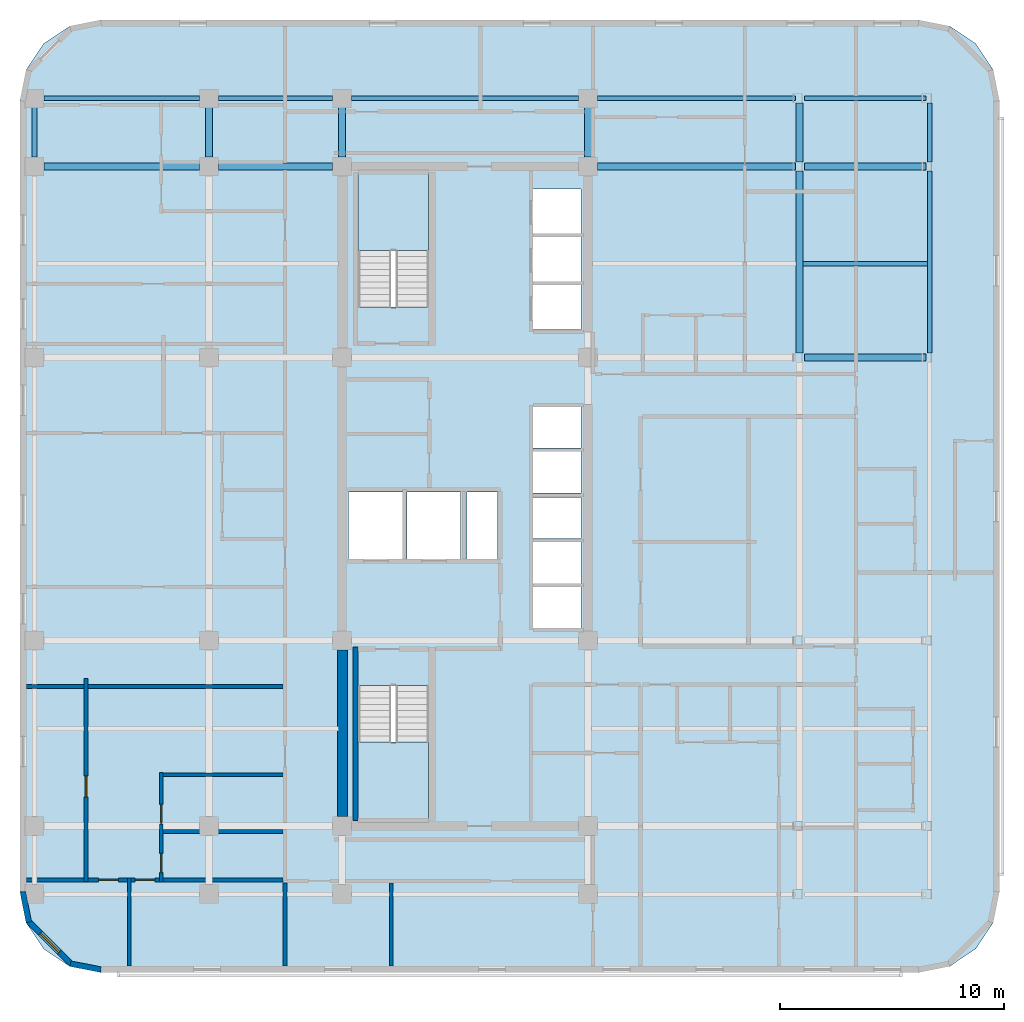
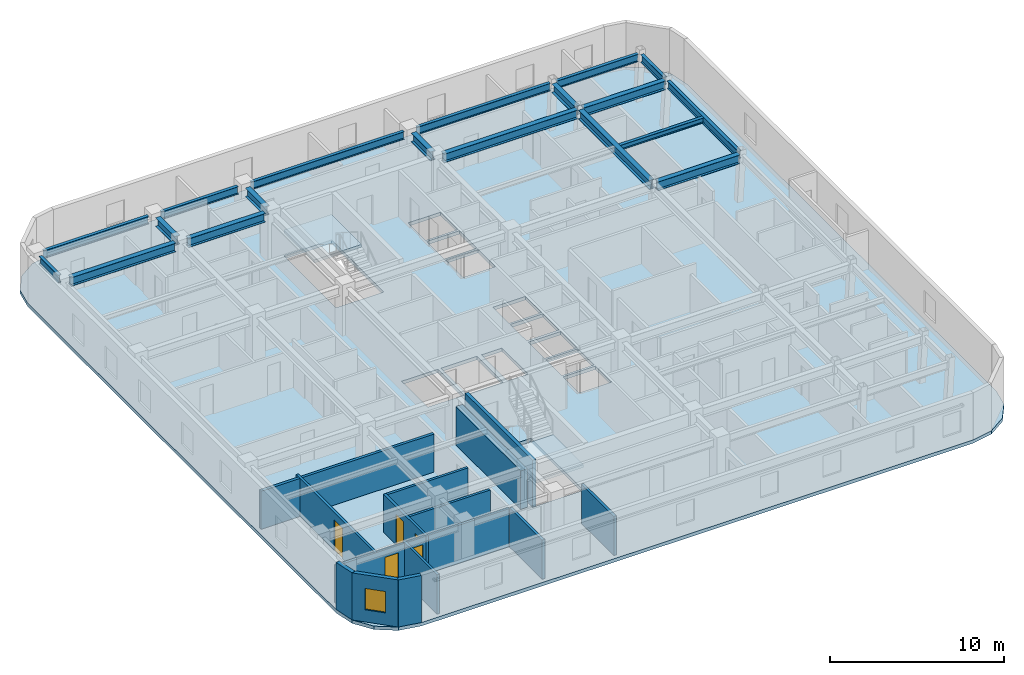
# One storey, part 2 of 11: 19 beams, 14 walls, 5 doors, 3 slabs, 1 window, 6 openings, 2 elements without a shape of their own.
"""IFC4 building model written with IfcOpenShell, lengths in metres."""

from ifc_helpers import new_model, si_unit, direction, frame, frame_2d, origin, origin_2d, place, context, subcontext, project, spatial, polyline, rectangle, i_section, outline, extrude, material, layer, layer_set, material_profile, profile_set, type_object, element, fill, aggregate, save


model = new_model("IFC4")

# Units and contexts
model_context = context("Model", 3, precision=1e-05, world=origin(), true_north=direction((0.0, 1.0)))
body_context = subcontext(model_context, "Body", "Model", "MODEL_VIEW")
ifc_project = project(units=[si_unit("LENGTHUNIT", "METRE"), si_unit("AREAUNIT", "SQUARE_METRE"), si_unit("VOLUMEUNIT", "CUBIC_METRE"), si_unit("PLANEANGLEUNIT", "RADIAN"), si_unit("MASSUNIT", "GRAM", prefix="KILO")], contexts=[model_context])

# Site, building, storey
site_placement = place(None, origin())
site = spatial("IfcSite", under=ifc_project, at=site_placement, CompositionType="ELEMENT")
building_placement = place(site_placement, origin())
building = spatial("IfcBuilding", under=site, at=building_placement, Name="Ochreholt Gables", CompositionType="ELEMENT")
storey_placement = place(building_placement, frame((0.0, 0.0, 132.0)))
storey = spatial("IfcBuildingStorey", under=building, at=storey_placement, Name="L34", CompositionType="ELEMENT", Elevation=132.0)

# Beams
ifc_material_1 = material(Name="Steel CSA G40.21 350W", Category="steel")
ifc_material_profile_1 = material_profile(ifc_material_1, i_section(OverallWidth=0.323974609375, OverallDepth=0.611083984375, WebThickness=0.0126953125, FlangeThickness=0.01904296875, at=origin_2d()), Name="W610X155")
ifc_profile_set_1 = profile_set([ifc_material_profile_1], Name="Steel CSA G40.21 350W")
beam_type_1 = type_object("IfcBeamType", Name="BM-G-W610A", PredefinedType="BEAM", material=ifc_profile_set_1)
beam_1_placement = place(storey_placement, frame((44.884521484375, 30.199951171875, 2.994384765625), z_axis=(1.0, 0.0, 0.0), x_axis=(0.0, 1.0, 0.0)))
element("IfcBeam", 1, at=beam_1_placement, inside=storey, type_object=beam_type_1, Name="L34 Beam TBG-L34-EMEE-Y4", PredefinedType="BEAM", context=body_context, shape_type="SweptSolid", body=[
    extrude(i_section(OverallWidth=0.323974609375, OverallDepth=0.611083984375, WebThickness=0.0126953125, FlangeThickness=0.01904296875, at=origin_2d()), origin(), (0.0, 0.0, 1.0), 5.4345703125),
])
beam_2_placement = place(storey_placement, frame((10.87451171875, 38.75, 2.994384765625), z_axis=(1.0, 0.0, 0.0), x_axis=(0.0, 1.0, 0.0)))
element("IfcBeam", 2, at=beam_2_placement, inside=storey, type_object=beam_type_1, Name="L34 Beam TBG-L34-W2W3-Y5", PredefinedType="BEAM", context=body_context, shape_type="SweptSolid", body=[
    extrude(i_section(OverallWidth=0.323974609375, OverallDepth=0.611083984375, WebThickness=0.0126953125, FlangeThickness=0.01904296875, at=origin_2d()), origin(), (0.0, 0.0, 1.0), 6.950927734375),
])
beam_3_placement = place(storey_placement, frame((18.674560546875, 38.75, 2.994384765625), z_axis=(1.0, 0.0, 0.0), x_axis=(0.0, 1.0, 0.0)))
element("IfcBeam", 3, at=beam_3_placement, inside=storey, type_object=beam_type_1, Name="L34 Beam TBG-L34-W3C1-Y5", PredefinedType="BEAM", context=body_context, shape_type="SweptSolid", body=[
    extrude(i_section(OverallWidth=0.323974609375, OverallDepth=0.611083984375, WebThickness=0.0126953125, FlangeThickness=0.01904296875, at=origin_2d()), origin(), (0.0, 0.0, 1.0), 5.100830078125),
])
beam_4_placement = place(storey_placement, frame((35.62451171875, 38.75, 2.994384765625), z_axis=(1.0, 0.0, 0.0), x_axis=(0.0, 1.0, 0.0)))
element("IfcBeam", 4, at=beam_4_placement, inside=storey, type_object=beam_type_1, Name="L34 Beam TBG-L34-C2EM-Y5", PredefinedType="BEAM", context=body_context, shape_type="SweptSolid", body=[
    extrude(i_section(OverallWidth=0.323974609375, OverallDepth=0.611083984375, WebThickness=0.0126953125, FlangeThickness=0.01904296875, at=origin_2d()), origin(), (0.0, 0.0, 1.0), 8.85498046875),
])
beam_5_placement = place(storey_placement, frame((44.884521484375, 38.75, 2.994384765625), z_axis=(1.0, 0.0, 0.0), x_axis=(0.0, 1.0, 0.0)))
element("IfcBeam", 5, at=beam_5_placement, inside=storey, type_object=beam_type_1, Name="L34 Beam TBG-L34-EMEE-Y5", PredefinedType="BEAM", context=body_context, shape_type="SweptSolid", body=[
    extrude(i_section(OverallWidth=0.323974609375, OverallDepth=0.611083984375, WebThickness=0.0126953125, FlangeThickness=0.01904296875, at=origin_2d()), origin(), (0.0, 0.0, 1.0), 5.4345703125),
])
for number, where, z_axis, x_axis, name in (
    (6, (18.25, 39.174560546875, 2.994384765625), (0.0, 1.0, 0.0), (-1.0, 0.0, 0.0), "L34 Beam TBN-L34-W3-Y5Y6"),
    (7, (24.199951171875, 39.174560546875, 2.994384765625), (0.0, 1.0, 0.0), (-1.0, 0.0, 0.0), "L34 Beam TBN-L34-C1-Y5Y6"),
    (8, (35.199951171875, 39.174560546875, 2.994384765625), (0.0, 1.0, 0.0), (-1.0, 0.0, 0.0), "L34 Beam TBN-L34-C2-Y5Y6"),
):
    element("IfcBeam", number, at=place(storey_placement, frame(where, z_axis=z_axis, x_axis=x_axis)), inside=storey, type_object=beam_type_1, Name=name, PredefinedType="BEAM", context=body_context, shape_type="SweptSolid", body=[
        extrude(i_section(OverallWidth=0.323974609375, OverallDepth=0.611083984375, WebThickness=0.0126953125, FlangeThickness=0.01904296875, at=origin_2d()), origin(), (0.0, 0.0, 1.0), 2.200927734375),
    ])
beam_6_placement = place(storey_placement, frame((44.662841796875, 30.402587890625, 2.994384765625), z_axis=(0.0, 1.0, 0.0), x_axis=(-1.0, 0.0, 0.0)))
element("IfcBeam", 9, at=beam_6_placement, inside=storey, type_object=beam_type_1, Name="L34 Beam TBN-L34-EM-Y4Y5", PredefinedType="BEAM", context=body_context, shape_type="SweptSolid", body=[
    extrude(i_section(OverallWidth=0.323974609375, OverallDepth=0.611083984375, WebThickness=0.0126953125, FlangeThickness=0.01904296875, at=origin_2d()), origin(), (0.0, 0.0, 1.0), 8.144775390625),
])
beam_7_placement = place(storey_placement, frame((44.662841796875, 38.95263671875, 2.994384765625), z_axis=(0.0, 1.0, 0.0), x_axis=(-1.0, 0.0, 0.0)))
element("IfcBeam", 10, at=beam_7_placement, inside=storey, type_object=beam_type_1, Name="L34 Beam TBN-L34-EM-Y5Y6", PredefinedType="BEAM", context=body_context, shape_type="SweptSolid", body=[
    extrude(i_section(OverallWidth=0.323974609375, OverallDepth=0.611083984375, WebThickness=0.0126953125, FlangeThickness=0.01904296875, at=origin_2d()), origin(), (0.0, 0.0, 1.0), 2.644775390625),
])
ifc_material_profile_2 = material_profile(ifc_material_1, i_section(OverallWidth=0.205078125, OverallDepth=0.35400390625, WebThickness=0.009521484375, FlangeThickness=0.016845703125, at=origin_2d()), Name="W360X79")
ifc_profile_set_2 = profile_set([ifc_material_profile_2], Name="Steel CSA G40.21 350W")
beam_type_2 = type_object("IfcBeamType", Name="BM-J-W360A", PredefinedType="JOIST", material=ifc_profile_set_2)
beam_8_placement = place(storey_placement, frame((44.824462890625, 34.39990234375, 3.123046875), z_axis=(1.0, 0.0, 0.0), x_axis=(0.0, 1.0, 0.0)))
element("IfcBeam", 11, at=beam_8_placement, inside=storey, type_object=beam_type_2, Name="L34 Beam TBJ-L34-J2-EMEE", PredefinedType="JOIST", context=body_context, shape_type="SweptSolid", body=[
    extrude(i_section(OverallWidth=0.205078125, OverallDepth=0.35400390625, WebThickness=0.009521484375, FlangeThickness=0.016845703125, at=origin_2d()), origin(), (0.0, 0.0, 1.0), 5.56103515625),
])
ifc_material_profile_3 = material_profile(ifc_material_1, i_section(OverallWidth=0.208984375, OverallDepth=0.532958984375, WebThickness=0.01025390625, FlangeThickness=0.015625, at=origin_2d()), Name="W530X92")
ifc_profile_set_3 = profile_set([ifc_material_profile_3], Name="Steel CSA G40.21 350W")
beam_type_3 = type_object("IfcBeamType", Name="BM-SP-W530B", PredefinedType="SPANDREL", material=ifc_profile_set_3)
beam_9_placement = place(storey_placement, frame((10.87451171875, 41.800048828125, 3.033447265625), z_axis=(1.0, 0.0, 0.0), x_axis=(0.0, 1.0, 0.0)))
element("IfcBeam", 12, at=beam_9_placement, inside=storey, type_object=beam_type_3, Name="L34 Beam TBG-L34-W2W3-Y6", PredefinedType="SPANDREL", context=body_context, shape_type="SweptSolid", body=[
    extrude(i_section(OverallWidth=0.208984375, OverallDepth=0.532958984375, WebThickness=0.01025390625, FlangeThickness=0.015625, at=origin_2d()), origin(), (0.0, 0.0, 1.0), 6.950927734375),
])
beam_10_placement = place(storey_placement, frame((18.674560546875, 41.800048828125, 3.033447265625), z_axis=(1.0, 0.0, 0.0), x_axis=(0.0, 1.0, 0.0)))
element("IfcBeam", 13, at=beam_10_placement, inside=storey, type_object=beam_type_3, Name="L34 Beam TBG-L34-W3C1-Y6", PredefinedType="SPANDREL", context=body_context, shape_type="SweptSolid", body=[
    extrude(i_section(OverallWidth=0.208984375, OverallDepth=0.532958984375, WebThickness=0.01025390625, FlangeThickness=0.015625, at=origin_2d()), origin(), (0.0, 0.0, 1.0), 5.100830078125),
])
beam_11_placement = place(storey_placement, frame((24.62451171875, 41.800048828125, 3.033447265625), z_axis=(1.0, 0.0, 0.0), x_axis=(0.0, 1.0, 0.0)))
element("IfcBeam", 14, at=beam_11_placement, inside=storey, type_object=beam_type_3, Name="L34 Beam TBG-L34-C1C2-Y6", PredefinedType="SPANDREL", context=body_context, shape_type="SweptSolid", body=[
    extrude(i_section(OverallWidth=0.208984375, OverallDepth=0.532958984375, WebThickness=0.01025390625, FlangeThickness=0.015625, at=origin_2d()), origin(), (0.0, 0.0, 1.0), 10.15087890625),
])
beam_12_placement = place(storey_placement, frame((35.62451171875, 41.800048828125, 3.033447265625), z_axis=(1.0, 0.0, 0.0), x_axis=(0.0, 1.0, 0.0)))
element("IfcBeam", 15, at=beam_12_placement, inside=storey, type_object=beam_type_3, Name="L34 Beam TBG-L34-C2EM-Y6", PredefinedType="SPANDREL", context=body_context, shape_type="SweptSolid", body=[
    extrude(i_section(OverallWidth=0.208984375, OverallDepth=0.532958984375, WebThickness=0.01025390625, FlangeThickness=0.015625, at=origin_2d()), origin(), (0.0, 0.0, 1.0), 8.85498046875),
])
beam_13_placement = place(storey_placement, frame((44.884521484375, 41.800048828125, 3.033447265625), z_axis=(1.0, 0.0, 0.0), x_axis=(0.0, 1.0, 0.0)))
element("IfcBeam", 16, at=beam_13_placement, inside=storey, type_object=beam_type_3, Name="L34 Beam TBG-L34-EMEE-Y6", PredefinedType="SPANDREL", context=body_context, shape_type="SweptSolid", body=[
    extrude(i_section(OverallWidth=0.208984375, OverallDepth=0.532958984375, WebThickness=0.01025390625, FlangeThickness=0.015625, at=origin_2d()), origin(), (0.0, 0.0, 1.0), 5.4345703125),
])
beam_14_placement = place(storey_placement, frame((10.449951171875, 39.174560546875, 3.033447265625), z_axis=(0.0, 1.0, 0.0), x_axis=(-1.0, 0.0, 0.0)))
element("IfcBeam", 17, at=beam_14_placement, inside=storey, type_object=beam_type_3, Name="L34 Beam TBN-L34-W2-Y5Y6", PredefinedType="SPANDREL", context=body_context, shape_type="SweptSolid", body=[
    extrude(i_section(OverallWidth=0.208984375, OverallDepth=0.532958984375, WebThickness=0.01025390625, FlangeThickness=0.015625, at=origin_2d()), origin(), (0.0, 0.0, 1.0), 2.200927734375),
])
beam_15_placement = place(storey_placement, frame((50.48974609375, 30.402587890625, 3.033447265625), z_axis=(0.0, 1.0, 0.0), x_axis=(-1.0, 0.0, 0.0)))
element("IfcBeam", 18, at=beam_15_placement, inside=storey, type_object=beam_type_3, Name="L34 Beam TBN-L34-EE-Y4Y5", PredefinedType="SPANDREL", context=body_context, shape_type="SweptSolid", body=[
    extrude(i_section(OverallWidth=0.208984375, OverallDepth=0.532958984375, WebThickness=0.01025390625, FlangeThickness=0.015625, at=origin_2d()), origin(), (0.0, 0.0, 1.0), 8.144775390625),
])
beam_16_placement = place(storey_placement, frame((50.48974609375, 38.95263671875, 3.033447265625), z_axis=(0.0, 1.0, 0.0), x_axis=(-1.0, 0.0, 0.0)))
element("IfcBeam", 19, at=beam_16_placement, inside=storey, type_object=beam_type_3, Name="L34 Beam TBN-L34-EE-Y5Y6", PredefinedType="SPANDREL", context=body_context, shape_type="SweptSolid", body=[
    extrude(i_section(OverallWidth=0.208984375, OverallDepth=0.532958984375, WebThickness=0.01025390625, FlangeThickness=0.015625, at=origin_2d()), origin(), (0.0, 0.0, 1.0), 2.644775390625),
])

# Stair, slab
ifc_material_2 = material(Name="Concrete 40 MPa", Category="concrete")
stair_type_1 = type_object("IfcStairType", Name="STAIR-CORE-ST-1", PredefinedType="HALF_TURN_STAIR", material=ifc_material_2)
stair_1_placement = place(storey_placement, origin())
stair_1 = element("IfcStair", 20, at=stair_1_placement, inside=storey, type_object=stair_type_1, Name="L34 Core Exit Stair 1", PredefinedType="HALF_TURN_STAIR")
ifc_layer_1 = layer(ifc_material_2, 0.199951171875, Name="Concrete 40 MPa")
ifc_layer_set_1 = layer_set([ifc_layer_1], Name="Concrete 40 MPa")
slab_type_1 = type_object("IfcSlabType", Name="LANDING-RC200", PredefinedType="LANDING", material=ifc_layer_set_1)
slab_1_placement = place(storey_placement, frame((0.0, 0.0, 1.60009765625)))
slab_1 = element("IfcSlab", 21, at=slab_1_placement, type_object=slab_type_1, Name="ST-1 landing 1", PredefinedType="LANDING", context=body_context, shape_type="SweptSolid", body=[
    extrude(outline(polyline([(24.919921875, 13.001953125), (24.919921875, 9.52001953125), (28.080078125, 9.52001953125), (28.080078125, 13.001953125), (24.919921875, 13.001953125)])), origin(), (0.0, 0.0, 1.0), 0.199951171875),
])
aggregate(stair_1, [slab_1])

stair_type_2 = type_object("IfcStairType", Name="STAIR-CORE-ST-2", PredefinedType="HALF_TURN_STAIR", material=ifc_material_2)
stair_2_placement = place(storey_placement, origin())
stair_2 = element("IfcStair", 22, at=stair_2_placement, inside=storey, type_object=stair_type_2, Name="L34 Core Exit Stair 2", PredefinedType="HALF_TURN_STAIR")
slab_2_placement = place(storey_placement, frame((0.0, 0.0, 1.60009765625)))
slab_2 = element("IfcSlab", 23, at=slab_2_placement, type_object=slab_type_1, Name="ST-2 landing 1", PredefinedType="LANDING", context=body_context, shape_type="SweptSolid", body=[
    extrude(outline(polyline([(28.080078125, 34.998046875), (28.080078125, 38.47998046875), (24.919921875, 38.47998046875), (24.919921875, 34.998046875), (28.080078125, 34.998046875)])), origin(), (0.0, 0.0, 1.0), 0.199951171875),
])
aggregate(stair_2, [slab_2])

# Slab
ifc_layer_2 = layer(ifc_material_2, 0.239990234375, Name="Concrete 40 MPa")
ifc_layer_set_2 = layer_set([ifc_layer_2], Name="Concrete 40 MPa")
slab_type_2 = type_object("IfcSlabType", Name="SLAB-TWR-240", PredefinedType="FLOOR", material=ifc_layer_set_2)
slab_3_placement = place(storey_placement, frame((0.0, 0.0, -0.239990234375)))
element("IfcSlab", 24, at=slab_3_placement, inside=storey, type_object=slab_type_2, Name="L34 Structural Floor Slab", PredefinedType="FLOOR", context=body_context, shape_type="SweptSolid", body=[
    extrude(outline(polyline([(9.800048828125, 6.300048828125), (10.073974609375, 4.92236328125), (10.8544921875, 3.75439453125), (12.022216796875, 2.97412109375), (13.39990234375, 2.699951171875), (50.0, 2.699951171875), (51.377685546875, 2.97412109375), (52.545654296875, 3.75439453125), (53.325927734375, 4.92236328125), (53.60009765625, 6.300048828125), (53.60009765625, 41.699951171875), (53.325927734375, 43.07763671875), (52.545654296875, 44.24560546875), (51.377685546875, 45.02587890625), (50.0, 45.300048828125), (13.39990234375, 45.300048828125), (12.022216796875, 45.02587890625), (10.8544921875, 44.24560546875), (10.073974609375, 43.07763671875), (9.800048828125, 41.699951171875), (9.800048828125, 6.300048828125)]), holes=[polyline([(24.919921875, 15.539306640625), (24.919921875, 9.52001953125), (28.080078125, 9.52001953125), (28.080078125, 15.539306640625), (24.919921875, 15.539306640625)]), polyline([(28.080078125, 32.460693359375), (28.080078125, 38.47998046875), (24.919921875, 38.47998046875), (24.919921875, 32.460693359375), (28.080078125, 32.460693359375)]), polyline([(24.5, 21.199951171875), (26.89990234375, 21.199951171875), (26.89990234375, 24.199951171875), (24.5, 24.199951171875), (24.5, 21.199951171875)]), polyline([(27.10009765625, 21.199951171875), (29.5, 21.199951171875), (29.5, 24.199951171875), (27.10009765625, 24.199951171875), (27.10009765625, 21.199951171875)]), polyline([(32.75, 18.10009765625), (34.89990234375, 18.10009765625), (34.89990234375, 19.949951171875), (32.75, 19.949951171875), (32.75, 18.10009765625)]), polyline([(32.75, 20.10009765625), (34.89990234375, 20.10009765625), (34.89990234375, 21.949951171875), (32.75, 21.949951171875), (32.75, 20.10009765625)]), polyline([(32.75, 22.10009765625), (34.89990234375, 22.10009765625), (34.89990234375, 23.949951171875), (32.75, 23.949951171875), (32.75, 22.10009765625)]), polyline([(32.75, 24.14990234375), (34.89990234375, 24.14990234375), (34.89990234375, 26.0), (32.75, 26.0), (32.75, 24.14990234375)]), polyline([(32.75, 26.14990234375), (34.89990234375, 26.14990234375), (34.89990234375, 28.0), (32.75, 28.0), (32.75, 26.14990234375)]), polyline([(32.75, 31.449951171875), (34.89990234375, 31.449951171875), (34.89990234375, 33.449951171875), (32.75, 33.449951171875), (32.75, 31.449951171875)]), polyline([(32.75, 33.60009765625), (34.89990234375, 33.60009765625), (34.89990234375, 35.60009765625), (32.75, 35.60009765625), (32.75, 33.60009765625)]), polyline([(32.75, 35.75), (34.89990234375, 35.75), (34.89990234375, 37.75), (32.75, 37.75), (32.75, 35.75)]), polyline([(29.800048828125, 21.199951171875), (31.14990234375, 21.199951171875), (31.14990234375, 24.199951171875), (29.800048828125, 24.199951171875), (29.800048828125, 21.199951171875)])]), origin(), (0.0, 0.0, 1.0), 0.239990234375),
])

# Walls
ifc_material_3 = material(Name="Concrete 60 MPa", Category="concrete")
ifc_layer_3 = layer(ifc_material_3, 0.449951171875, Name="Concrete 60 MPa")
ifc_layer_set_3 = layer_set([ifc_layer_3], Name="Concrete 60 MPa")
wall_type_1 = type_object("IfcWallType", Name="WALL-CSW-450", PredefinedType="SHEAR", material=ifc_layer_set_3)
wall_1_placement = place(storey_placement, frame((24.22509765625, 9.675048828125, 0.0), z_axis=(0.0, 0.0, 1.0), x_axis=(0.0, 1.0, 0.0)))
element("IfcWall", 25, at=wall_1_placement, inside=storey, type_object=wall_type_1, Name="L34 Core West Shear Wall WS", PredefinedType="SHEAR", context=body_context, shape_type="SweptSolid", body=[
    extrude(rectangle(XDim=7.449951171875, YDim=0.449951171875, at=frame_2d((3.72509765625, 0.0))), origin(), (0.0, 0.0, 1.0), 2.68896484375),
])
ifc_material_4 = material(Name="Precast concrete 40 MPa", Category="concrete")
ifc_layer_4 = layer(ifc_material_4, 0.25, Name="Precast concrete 40 MPa")
ifc_layer_set_4 = layer_set([ifc_layer_4], Name="Precast concrete 40 MPa")
wall_type_2 = type_object("IfcWallType", Name="WALL-EXT-CNR", PredefinedType="SOLIDWALL", material=ifc_layer_set_4)
wall_2_placement = place(storey_placement, frame((9.92431640625, 6.31640625, 0.0), z_axis=(0.0, 0.0, 1.0), x_axis=(0.195000137217, -0.980803214965, 0.0)))
element("IfcWall", 26, at=wall_2_placement, inside=storey, type_object=wall_type_2, Name="L34 Rounded Corner Wall SW-1", PredefinedType="SOLIDWALL", context=body_context, shape_type="SweptSolid", body=[
    extrude(rectangle(XDim=1.388427734375, YDim=0.25, at=frame_2d((0.6943359375, 0.0))), origin(), (0.0, 0.0, 1.0), 3.300048828125),
])

# Wall, opening, window
wall_3_placement = place(storey_placement, frame((10.16796875, 5.0048828125, 0.0), z_axis=(0.0, 0.0, 1.0), x_axis=(0.707151344399, -0.707062215165, 0.0)))
wall_3 = element("IfcWall", 27, at=wall_3_placement, inside=storey, type_object=wall_type_2, Name="L34 Rounded Corner Wall SW-2", PredefinedType="SOLIDWALL", context=body_context, shape_type="SweptSolid", body=[
    extrude(rectangle(XDim=2.7392578125, YDim=0.25, at=frame_2d((1.36962890625, 0.0))), origin(), (0.0, 0.0, 1.0), 3.300048828125),
])
opening_1_placement = place(wall_3_placement, frame((0.769775390625, 0.0, 0.85009765625)))
opening_1 = element("IfcOpeningElement", 28, at=opening_1_placement, cuts=wall_3, Name="Opening WN-3", PredefinedType="OPENING", context=body_context, shape_type="SweptSolid", body=[
    extrude(rectangle(XDim=1.199951171875, YDim=1.5, at=frame_2d((0.60009765625, 0.75))), frame((0.0, 0.135009765625, 0.0), z_axis=(0.0, -1.0, 0.0), x_axis=(1.0, 0.0, 0.0)), (0.0, 0.0, 1.0), 0.27001953125),
])
ifc_material_5 = material(Name="Triple-Glazed Thermally Broken Aluminium Window", Category="aluminium")
window_type = type_object("IfcWindowType", Name="WIN-RES-1200", PartitioningType="SINGLE_PANEL", PredefinedType="WINDOW", material=ifc_material_5)
window_placement = place(opening_1_placement, origin())
window = element("IfcWindow", 29, at=window_placement, inside=storey, type_object=window_type, Name="L34 Corner Bedroom Window SW", OverallHeight=1.5, OverallWidth=1.199951171875, PartitioningType="SINGLE_PANEL", PredefinedType="WINDOW", context=body_context, shape_type="SweptSolid", body=[
    extrude(rectangle(XDim=1.199951171875, YDim=1.5, at=frame_2d((0.60009765625, 0.75))), frame((0.0, 0.030029296875, 0.0), z_axis=(0.0, -1.0, 0.0), x_axis=(1.0, 0.0, 0.0)), (0.0, 0.0, 1.0), 0.06005859375),
])
fill(opening_1, window)

# Walls
wall_4_placement = place(storey_placement, frame((12.054443359375, 3.094970703125, 0.0), z_axis=(0.0, 0.0, 1.0), x_axis=(0.980809899341, -0.19496651342, 0.0)))
element("IfcWall", 30, at=wall_4_placement, inside=storey, type_object=wall_type_2, Name="L34 Rounded Corner Wall SW-3", PredefinedType="SOLIDWALL", context=body_context, shape_type="SweptSolid", body=[
    extrude(rectangle(XDim=1.388671875, YDim=0.25, at=frame_2d((0.6943359375, 0.0))), origin(), (0.0, 0.0, 1.0), 3.300048828125),
])
ifc_material_6 = material(Name="Double-Stud Acoustic Demising Wall", Category="gypsum")
ifc_layer_5 = layer(ifc_material_6, 0.179931640625, Name="Double-Stud Acoustic Demising Wall")
ifc_layer_set_5 = layer_set([ifc_layer_5], Name="Double-Stud Acoustic Demising Wall")
wall_type_3 = type_object("IfcWallType", Name="WALL-INT-DM180", PredefinedType="PARTITIONING", material=ifc_layer_set_5)
wall_5_placement = place(storey_placement, frame((21.64990234375, 2.97998046875, 0.0), z_axis=(0.0, 0.0, 1.0), x_axis=(0.0, 1.0, 0.0)))
element("IfcWall", 31, at=wall_5_placement, inside=storey, type_object=wall_type_3, Name="L34 Interior Wall WI-C2WWS-L34", PredefinedType="PARTITIONING", context=body_context, shape_type="SweptSolid", body=[
    extrude(rectangle(XDim=3.72998046875, YDim=0.179931640625, at=frame_2d((1.864990234375, 0.0))), origin(), (0.0, 0.0, 1.0), 2.7490234375),
])
wall_6_placement = place(storey_placement, frame((10.080078125, 15.47998046875, 0.0), z_axis=(0.0, 0.0, 1.0), x_axis=(1.0, 0.0, 0.0)))
element("IfcWall", 32, at=wall_6_placement, inside=storey, type_object=wall_type_3, Name="L34 Interior Wall WI-C2UDW2-L34", PredefinedType="PARTITIONING", context=body_context, shape_type="SweptSolid", body=[
    extrude(rectangle(XDim=11.47998046875, YDim=0.179931640625, at=frame_2d((5.739990234375, 0.0))), origin(), (0.0, 0.0, 1.0), 2.6708984375),
])
ifc_material_7 = material(Name="Moisture-Resistant Plumbing Chase Wall", Category="gypsum")
ifc_layer_6 = layer(ifc_material_7, 0.159912109375, Name="Moisture-Resistant Plumbing Chase Wall")
ifc_layer_set_6 = layer_set([ifc_layer_6], Name="Moisture-Resistant Plumbing Chase Wall")
wall_type_4 = type_object("IfcWallType", Name="WALL-INT-PL160", PredefinedType="PLUMBINGWALL", material=ifc_layer_set_6)
wall_7_placement = place(storey_placement, frame((16.030029296875, 11.547119140625, 0.0), z_axis=(0.0, 0.0, 1.0), x_axis=(1.0, 0.0, 0.0)))
element("IfcWall", 33, at=wall_7_placement, inside=storey, type_object=wall_type_4, Name="L34 Interior Wall WU-L34W1-FYN", PredefinedType="PLUMBINGWALL", context=body_context, shape_type="SweptSolid", body=[
    extrude(rectangle(XDim=5.530029296875, YDim=0.159912109375, at=frame_2d((2.76513671875, 0.0))), origin(), (0.0, 0.0, 1.0), 2.6708984375),
])

# Wall, openings, doors
wall_8_placement = place(storey_placement, frame((16.110107421875, 6.75, 0.0), z_axis=(0.0, 0.0, 1.0), x_axis=(0.0, 1.0, 0.0)))
wall_8 = element("IfcWall", 34, at=wall_8_placement, inside=storey, type_object=wall_type_4, Name="L34 Interior Wall WU-L34W1-WX", PredefinedType="PLUMBINGWALL", context=body_context, shape_type="SweptSolid", body=[
    extrude(rectangle(XDim=4.886962890625, YDim=0.159912109375, at=frame_2d((2.443359375, 0.0))), origin(), (0.0, 0.0, 1.0), 2.6708984375),
])
opening_2_placement = place(wall_8_placement, frame((0.419921875, 0.0, 0.0)))
opening_2 = element("IfcOpeningElement", 35, at=opening_2_placement, cuts=wall_8, Name="Opening D-BT1", PredefinedType="OPENING", context=body_context, shape_type="SweptSolid", body=[
    extrude(rectangle(XDim=0.860107421875, YDim=2.1201171875, at=frame_2d((0.43017578125, 1.06005859375))), frame((0.0, 0.08984375, 0.0), z_axis=(0.0, -1.0, 0.0), x_axis=(1.0, 0.0, 0.0)), (0.0, 0.0, 1.0), 0.179931640625),
])
opening_3_placement = place(wall_8_placement, frame((2.585205078125, 0.0, 0.0)))
opening_3 = element("IfcOpeningElement", 36, at=opening_3_placement, cuts=wall_8, Name="Opening D-GN2", PredefinedType="OPENING", context=body_context, shape_type="SweptSolid", body=[
    extrude(rectangle(XDim=0.8798828125, YDim=2.1201171875, at=frame_2d((0.43994140625, 1.06005859375))), frame((0.0, 0.08984375, 0.0), z_axis=(0.0, -1.0, 0.0), x_axis=(1.0, 0.0, 0.0)), (0.0, 0.0, 1.0), 0.179931640625),
])
ifc_material_8 = material(Name="Engineered Oak Timber", Category="wood")
door_type_1 = type_object("IfcDoorType", Name="DR-INT-BTH860", OperationType="NOTDEFINED", PredefinedType="DOOR", material=ifc_material_8)
door_1_placement = place(opening_2_placement, origin())
door_1 = element("IfcDoor", 37, at=door_1_placement, inside=storey, type_object=door_type_1, Name="L34 Door D-U-L34W1-BTH", OperationType="SINGLE_SWING_LEFT", OverallHeight=2.1201171875, OverallWidth=0.860107421875, PredefinedType="DOOR", context=body_context, shape_type="SweptSolid", body=[
    extrude(rectangle(XDim=0.860107421875, YDim=2.1201171875, at=frame_2d((0.43017578125, 1.06005859375))), frame((0.0, 0.02490234375, 0.0), z_axis=(0.0, -1.0, 0.0), x_axis=(1.0, 0.0, 0.0)), (0.0, 0.0, 1.0), 0.050048828125),
])
fill(opening_2, door_1)
door_type_2 = type_object("IfcDoorType", Name="DR-INT-GEN880", OperationType="NOTDEFINED", PredefinedType="DOOR", material=ifc_material_8)
door_2_placement = place(opening_3_placement, origin())
door_2 = element("IfcDoor", 38, at=door_2_placement, inside=storey, type_object=door_type_2, Name="L34 Door D-U-L34W1-KIT", OperationType="SINGLE_SWING_RIGHT", OverallHeight=2.1201171875, OverallWidth=0.8798828125, PredefinedType="DOOR", context=body_context, shape_type="SweptSolid", body=[
    extrude(rectangle(XDim=0.8798828125, YDim=2.1201171875, at=frame_2d((0.43994140625, 1.06005859375))), frame((0.0, 0.02490234375, 0.0), z_axis=(0.0, -1.0, 0.0), x_axis=(1.0, 0.0, 0.0)), (0.0, 0.0, 1.0), 0.050048828125),
])
fill(opening_3, door_2)

# Wall
wall_9_placement = place(storey_placement, frame((16.18994140625, 9.005126953125, 0.0), z_axis=(0.0, 0.0, 1.0), x_axis=(1.0, 0.0, 0.0)))
element("IfcWall", 39, at=wall_9_placement, inside=storey, type_object=wall_type_4, Name="L34 Interior Wall WU-L34W1-WK", PredefinedType="PLUMBINGWALL", context=body_context, shape_type="SweptSolid", body=[
    extrude(rectangle(XDim=5.3701171875, YDim=0.159912109375, at=frame_2d((2.68505859375, 0.0))), origin(), (0.0, 0.0, 1.0), 2.6708984375),
])

# Wall, openings, doors
ifc_material_9 = material(Name="Gypsum Acoustic Stud Partition", Category="gypsum")
ifc_layer_7 = layer(ifc_material_9, 0.1650390625, Name="Gypsum Acoustic Stud Partition")
ifc_layer_set_7 = layer_set([ifc_layer_7], Name="Gypsum Acoustic Stud Partition")
wall_type_5 = type_object("IfcWallType", Name="WALL-INT-PT165", PredefinedType="PARTITIONING", material=ifc_layer_set_7)
wall_10_placement = place(storey_placement, frame((10.080078125, 6.840087890625, 0.0), z_axis=(0.0, 0.0, 1.0), x_axis=(1.0, 0.0, 0.0)))
wall_10 = element("IfcWall", 40, at=wall_10_placement, inside=storey, type_object=wall_type_5, Name="L34 Interior Wall WU-L34W1-MN", PredefinedType="PARTITIONING", context=body_context, shape_type="SweptSolid", body=[
    extrude(rectangle(XDim=11.47998046875, YDim=0.1650390625, at=frame_2d((5.739990234375, 0.0))), origin(), (0.0, 0.0, 1.0), 2.6708984375),
])
opening_4_placement = place(wall_10_placement, frame((3.239990234375, 0.0, 0.0)))
opening_4 = element("IfcOpeningElement", 41, at=opening_4_placement, cuts=wall_10, Name="Opening D-BD2", PredefinedType="OPENING", context=body_context, shape_type="SweptSolid", body=[
    extrude(rectangle(XDim=0.8798828125, YDim=2.139892578125, at=frame_2d((0.43994140625, 1.06982421875))), frame((0.0, 0.092529296875, 0.0), z_axis=(0.0, -1.0, 0.0), x_axis=(1.0, 0.0, 0.0)), (0.0, 0.0, 1.0), 0.18505859375),
])
opening_5_placement = place(wall_10_placement, frame((4.8701171875, 0.0, 0.0)))
opening_5 = element("IfcOpeningElement", 42, at=opening_5_placement, cuts=wall_10, Name="Opening D-BD2", PredefinedType="OPENING", context=body_context, shape_type="SweptSolid", body=[
    extrude(rectangle(XDim=0.8798828125, YDim=2.139892578125, at=frame_2d((0.43994140625, 1.06982421875))), frame((0.0, 0.092529296875, 0.0), z_axis=(0.0, -1.0, 0.0), x_axis=(1.0, 0.0, 0.0)), (0.0, 0.0, 1.0), 0.18505859375),
])
door_type_3 = type_object("IfcDoorType", Name="DR-INT-BED880", OperationType="NOTDEFINED", PredefinedType="DOOR", material=ifc_material_8)
door_3_placement = place(opening_4_placement, origin())
door_3 = element("IfcDoor", 43, at=door_3_placement, inside=storey, type_object=door_type_3, Name="L34 Door D-U-L34W1-BD1", OperationType="SINGLE_SWING_RIGHT", OverallHeight=2.139892578125, OverallWidth=0.8798828125, PredefinedType="DOOR", context=body_context, shape_type="SweptSolid", body=[
    extrude(rectangle(XDim=0.8798828125, YDim=2.139892578125, at=frame_2d((0.43994140625, 1.06982421875))), frame((0.0, 0.02490234375, 0.0), z_axis=(0.0, -1.0, 0.0), x_axis=(1.0, 0.0, 0.0)), (0.0, 0.0, 1.0), 0.050048828125),
])
fill(opening_4, door_3)
door_4_placement = place(opening_5_placement, origin())
door_4 = element("IfcDoor", 44, at=door_4_placement, inside=storey, type_object=door_type_3, Name="L34 Door D-U-L34W1-BD2", OperationType="SINGLE_SWING_LEFT", OverallHeight=2.139892578125, OverallWidth=0.8798828125, PredefinedType="DOOR", context=body_context, shape_type="SweptSolid", body=[
    extrude(rectangle(XDim=0.8798828125, YDim=2.139892578125, at=frame_2d((0.43994140625, 1.06982421875))), frame((0.0, 0.02490234375, 0.0), z_axis=(0.0, -1.0, 0.0), x_axis=(1.0, 0.0, 0.0)), (0.0, 0.0, 1.0), 0.050048828125),
])
fill(opening_5, door_4)

# Wall, opening, door
wall_11_placement = place(storey_placement, frame((12.75, 6.760009765625, 0.0), z_axis=(0.0, 0.0, 1.0), x_axis=(0.0, 1.0, 0.0)))
wall_11 = element("IfcWall", 45, at=wall_11_placement, inside=storey, type_object=wall_type_5, Name="L34 Interior Wall WU-L34W1-DNV", PredefinedType="PARTITIONING", context=body_context, shape_type="SweptSolid", body=[
    extrude(rectangle(XDim=9.080078125, YDim=0.1650390625, at=frame_2d((4.5400390625, 0.0))), origin(), (0.0, 0.0, 1.0), 2.6708984375),
])
opening_6_placement = place(wall_11_placement, frame((3.780029296875, 0.0, 0.0)))
opening_6 = element("IfcOpeningElement", 46, at=opening_6_placement, cuts=wall_11, Name="Opening D-GN1", PredefinedType="OPENING", context=body_context, shape_type="SweptSolid", body=[
    extrude(rectangle(XDim=0.949951171875, YDim=2.14990234375, at=frame_2d((0.47509765625, 1.074951171875))), frame((0.0, 0.092529296875, 0.0), z_axis=(0.0, -1.0, 0.0), x_axis=(1.0, 0.0, 0.0)), (0.0, 0.0, 1.0), 0.18505859375),
])
door_type_4 = type_object("IfcDoorType", Name="DR-INT-GEN950", OperationType="NOTDEFINED", PredefinedType="DOOR", material=ifc_material_8)
door_5_placement = place(opening_6_placement, origin())
door_5 = element("IfcDoor", 47, at=door_5_placement, inside=storey, type_object=door_type_4, Name="L34 Door D-U-L34W1-DIN", OperationType="SINGLE_SWING_LEFT", OverallHeight=2.14990234375, OverallWidth=0.949951171875, PredefinedType="DOOR", context=body_context, shape_type="SweptSolid", body=[
    extrude(rectangle(XDim=0.949951171875, YDim=2.14990234375, at=frame_2d((0.47509765625, 1.074951171875))), frame((0.0, 0.02490234375, 0.0), z_axis=(0.0, -1.0, 0.0), x_axis=(1.0, 0.0, 0.0)), (0.0, 0.0, 1.0), 0.050048828125),
])
fill(opening_6, door_5)

# Walls
wall_12_placement = place(storey_placement, frame((14.679931640625, 2.97998046875, 0.0), z_axis=(0.0, 0.0, 1.0), x_axis=(0.0, 1.0, 0.0)))
element("IfcWall", 48, at=wall_12_placement, inside=storey, type_object=wall_type_5, Name="L34 Interior Wall WU-L34W1-BSD", PredefinedType="PARTITIONING", context=body_context, shape_type="SweptSolid", body=[
    extrude(rectangle(XDim=3.93994140625, YDim=0.1650390625, at=frame_2d((1.969970703125, 0.0))), origin(), (0.0, 0.0, 1.0), 2.7490234375),
])
wall_13_placement = place(storey_placement, frame((26.39990234375, 2.97998046875, 0.0), z_axis=(0.0, 0.0, 1.0), x_axis=(0.0, 1.0, 0.0)))
element("IfcWall", 49, at=wall_13_placement, inside=storey, type_object=wall_type_5, Name="L34 Interior Wall WI-C2PKS-L34", PredefinedType="PARTITIONING", context=body_context, shape_type="SweptSolid", body=[
    extrude(rectangle(XDim=3.72998046875, YDim=0.1650390625, at=frame_2d((1.864990234375, 0.0))), origin(), (0.0, 0.0, 1.0), 2.7490234375),
])
ifc_material_10 = material(Name="Concrete 50 MPa", Category="concrete")
ifc_layer_8 = layer(ifc_material_10, 0.219970703125, Name="Concrete 50 MPa")
ifc_layer_set_8 = layer_set([ifc_layer_8], Name="Concrete 50 MPa")
wall_type_6 = type_object("IfcWallType", Name="WALL-STW-220", PredefinedType="SHEAR", material=ifc_layer_set_8)
wall_14_placement = place(storey_placement, frame((24.81005859375, 9.5, 0.0), z_axis=(0.0, 0.0, 1.0), x_axis=(0.0, 1.0, 0.0)))
element("IfcWall", 50, at=wall_14_placement, inside=storey, type_object=wall_type_6, Name="L34 Exit Stair 1 West Wall", PredefinedType="SHEAR", context=body_context, shape_type="SweptSolid", body=[
    extrude(rectangle(XDim=7.760009765625, YDim=0.219970703125, at=frame_2d((3.8798828125, 0.0))), origin(), (0.0, 0.0, 1.0), 3.300048828125),
])

save(model, "model.ifc")
